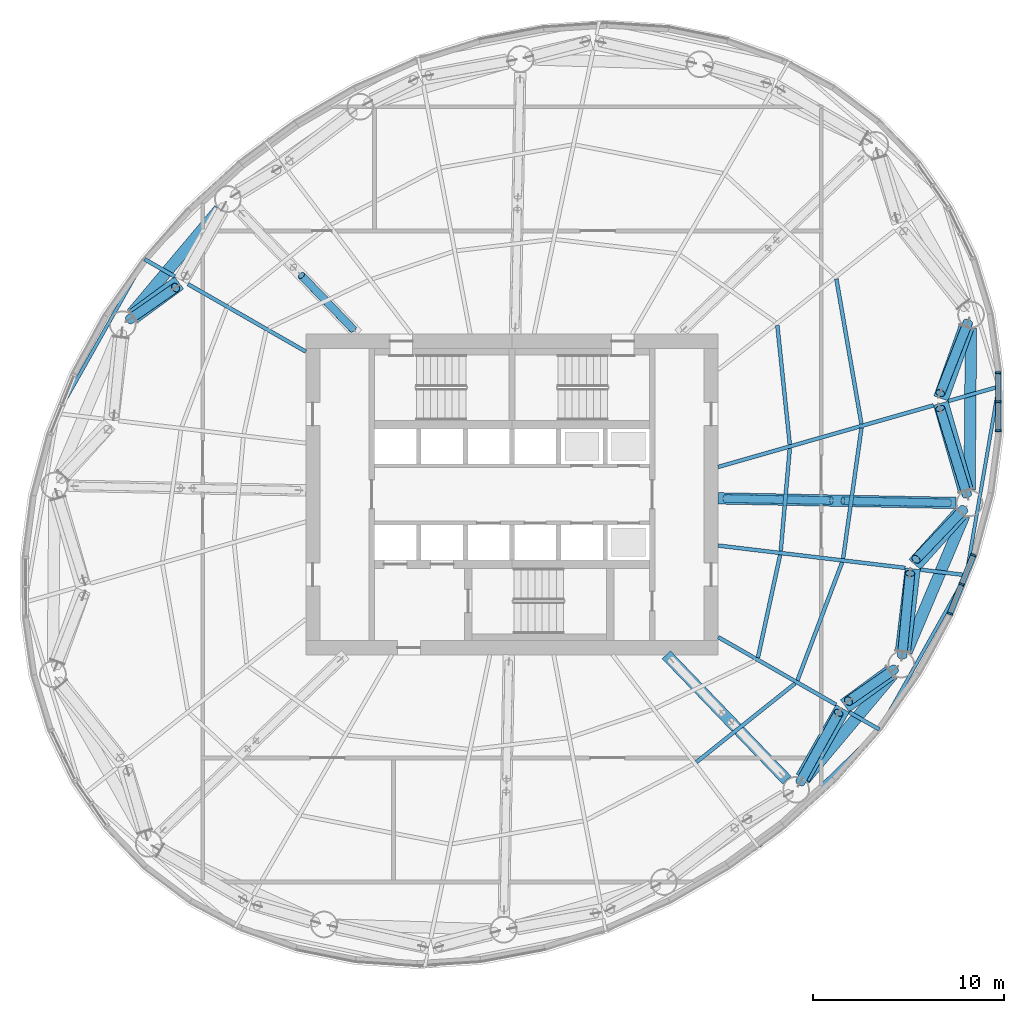
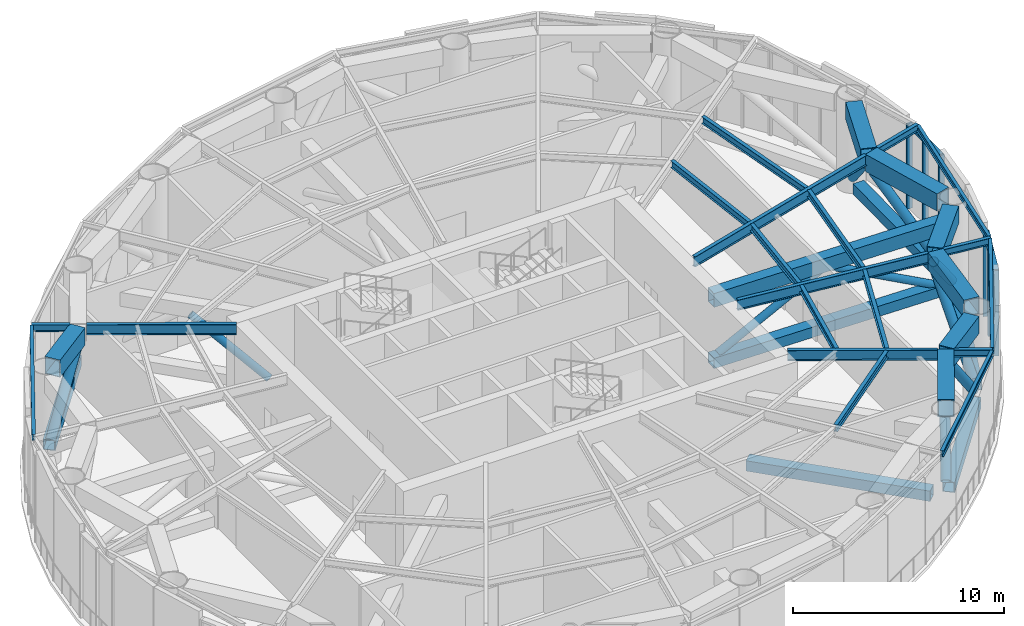
# One storey, part 4 of 19: 34 members, 19 beams, 2 elements without a shape of their own.
"""IFC4 building model written with IfcOpenShell, lengths in metres."""

from ifc_helpers import new_model, si_unit, direction, frame, origin, origin_2d, place, context, subcontext, project, spatial, rectangle, hollow_rectangle, hollow_circle, i_section, extrude, material, material_profile, profile_set, type_object, element, aggregate, save


model = new_model("IFC4")

# Units and contexts
model_context = context("Model", 3, precision=1e-05, world=origin(), true_north=direction((0.0, 1.0)))
body_context = subcontext(model_context, "Body", "Model", "MODEL_VIEW")
ifc_project = project(units=[si_unit("LENGTHUNIT", "METRE"), si_unit("AREAUNIT", "SQUARE_METRE"), si_unit("VOLUMEUNIT", "CUBIC_METRE"), si_unit("PLANEANGLEUNIT", "RADIAN"), si_unit("MASSUNIT", "GRAM", prefix="KILO")], contexts=[model_context])

# Site, building, storey
site_placement = place(None, origin())
site = spatial("IfcSite", under=ifc_project, at=site_placement, CompositionType="ELEMENT")
building_placement = place(site_placement, origin())
building = spatial("IfcBuilding", under=site, at=building_placement, Name="Vermilion Reach Broadcast Tower", CompositionType="ELEMENT")
storey_placement = place(building_placement, frame((0.0, 0.0, 190.199951171875)))
storey = spatial("IfcBuildingStorey", under=building, at=storey_placement, Name="L46", CompositionType="ELEMENT", Elevation=190.199951171875)

# Members
ifc_material_1 = material(Name="Steel S460NL", Category="steel")
ifc_material_profile_1 = material_profile(ifc_material_1, hollow_rectangle(XDim=0.60009765625, YDim=0.60009765625, WallThickness=0.030029296875, at=origin_2d()), Name="S460NL BOX 600x600x30")
ifc_profile_set_1 = profile_set([ifc_material_profile_1], Name="Steel S460NL")
member_type_1 = type_object("IfcMemberType", Name="BT3-BC BOX 600x600x30", PredefinedType="CHORD", material=ifc_profile_set_1)
for number, where, z_axis, x_axis, name in (
    (1, (-21.32958984375, 14.931396484375, 0.300048828125), (-0.643350337931, -0.765571905626, 0.0), (0.765571905626, -0.643350337931, 0.0), "Belt truss bottom chord BT3-BC05"),
    (2, (9.32958984375, -14.931396484375, 0.300048828125), (0.643350337931, 0.765571905626, 0.0), (-0.765571905626, 0.643350337931, 0.0), "Belt truss bottom chord BT3-BC13"),
):
    element("IfcMember", number, at=place(storey_placement, frame(where, z_axis=z_axis, x_axis=x_axis)), inside=storey, type_object=member_type_1, Name=name, PredefinedType="CHORD", context=body_context, shape_type="SweptSolid", body=[
        extrude(hollow_rectangle(XDim=0.60009765625, YDim=0.60009765625, WallThickness=0.030029296875, at=origin_2d()), origin(), (0.0, 0.0, 1.0), 7.1630859375),
    ])
member_1_placement = place(storey_placement, frame((14.660888671875, -8.266845703125, 0.300048828125), z_axis=(0.389368386196, 0.921082113512, 0.0), x_axis=(-0.921082113512, 0.389368386196, 0.0)))
element("IfcMember", 3, at=member_1_placement, inside=storey, type_object=member_type_1, Name="Belt truss bottom chord BT3-BC14", PredefinedType="CHORD", context=body_context, shape_type="SweptSolid", body=[
    extrude(hollow_rectangle(XDim=0.60009765625, YDim=0.60009765625, WallThickness=0.030029296875, at=origin_2d()), origin(), (0.0, 0.0, 1.0), 7.771240234375),
])
member_2_placement = place(storey_placement, frame((17.965087890625, 0.23583984375, 0.300048828125), z_axis=(0.008204232036, 0.999966344722, 0.0), x_axis=(-0.999966344722, 0.008204232036, 0.0)))
element("IfcMember", 4, at=member_2_placement, inside=storey, type_object=member_type_1, Name="Belt truss bottom chord BT3-BC15", PredefinedType="CHORD", context=body_context, shape_type="SweptSolid", body=[
    extrude(hollow_rectangle(XDim=0.60009765625, YDim=0.60009765625, WallThickness=0.030029296875, at=origin_2d()), origin(), (0.0, 0.0, 1.0), 8.48095703125),
])
ifc_material_2 = material(Name="Steel S355J2H", Category="steel")
ifc_material_profile_2 = material_profile(ifc_material_2, hollow_circle(Radius=0.25390625, WallThickness=0.02001953125, at=origin_2d()), Name="S355J2H CHS 508x20")
ifc_profile_set_2 = profile_set([ifc_material_profile_2], Name="Steel S355J2H")
member_type_2 = type_object("IfcMemberType", Name="BT3-D CHS 508x20", PredefinedType="BRACE", material=ifc_profile_set_2)
member_3_placement = place(storey_placement, frame((-26.018310546875, 9.167724609375, 0.800048828125), z_axis=(0.522849435044, 0.361890798011, 0.771792406408), x_axis=(-0.569122920508, 0.822252455972, 0.0)))
element("IfcMember", 5, at=member_3_placement, inside=storey, type_object=member_type_2, Name="Belt truss diagonal BT3-D05B", PredefinedType="BRACE", context=body_context, shape_type="SweptSolid", body=[
    extrude(hollow_circle(Radius=0.25390625, WallThickness=0.02001953125, at=origin_2d()), origin(), (0.0, 0.0, 1.0), 4.586669921875),
])
member_4_placement = place(storey_placement, frame((9.096923828125, -15.073486328125, 0.800048828125), z_axis=(0.36814083043, 0.66593798936, 0.648844298193), x_axis=(-0.875173391155, 0.483809399881, 0.0)))
element("IfcMember", 6, at=member_4_placement, inside=storey, type_object=member_type_2, Name="Belt truss diagonal BT3-D13A", PredefinedType="BRACE", context=body_context, shape_type="SweptSolid", body=[
    extrude(hollow_circle(Radius=0.25390625, WallThickness=0.02001953125, at=origin_2d()), origin(), (0.0, 0.0, 1.0), 5.455810546875),
])
member_5_placement = place(storey_placement, frame((14.018310546875, -9.167724609375, 0.800048828125), z_axis=(-0.522849435044, -0.361890798011, 0.771792406408), x_axis=(0.569122920508, -0.822252455972, 0.0)))
element("IfcMember", 7, at=member_5_placement, inside=storey, type_object=member_type_2, Name="Belt truss diagonal BT3-D13B", PredefinedType="BRACE", context=body_context, shape_type="SweptSolid", body=[
    extrude(hollow_circle(Radius=0.25390625, WallThickness=0.02001953125, at=origin_2d()), origin(), (0.0, 0.0, 1.0), 4.586669921875),
])
member_6_placement = place(storey_placement, frame((14.431396484375, -8.463623046875, 0.800048828125), z_axis=(0.074115123368, 0.771894639727, 0.631415563356), x_axis=(-0.995421983805, 0.095577581882, 0.0)))
element("IfcMember", 8, at=member_6_placement, inside=storey, type_object=member_type_2, Name="Belt truss diagonal BT3-D14A", PredefinedType="BRACE", context=body_context, shape_type="SweptSolid", body=[
    extrude(hollow_circle(Radius=0.25390625, WallThickness=0.02001953125, at=origin_2d()), origin(), (0.0, 0.0, 1.0), 5.6064453125),
])
member_7_placement = place(storey_placement, frame((17.648681640625, -0.789794921875, 0.800048828125), z_axis=(-0.492734451892, -0.516308413904, 0.700455838473), x_axis=(0.723429299599, -0.6903984708, 0.0)))
element("IfcMember", 9, at=member_7_placement, inside=storey, type_object=member_type_2, Name="Belt truss diagonal BT3-D14B", PredefinedType="BRACE", context=body_context, shape_type="SweptSolid", body=[
    extrude(hollow_circle(Radius=0.25390625, WallThickness=0.02001953125, at=origin_2d()), origin(), (0.0, 0.0, 1.0), 5.053955078125),
])
member_8_placement = place(storey_placement, frame((17.826171875, -0.034423828125, 0.800048828125), z_axis=(-0.237338124652, 0.765804970114, 0.597673290632), x_axis=(-0.955178988693, -0.296028882981, 0.0)))
element("IfcMember", 10, at=member_8_placement, inside=storey, type_object=member_type_2, Name="Belt truss diagonal BT3-D15A", PredefinedType="BRACE", context=body_context, shape_type="SweptSolid", body=[
    extrude(hollow_circle(Radius=0.25390625, WallThickness=0.02001953125, at=origin_2d()), origin(), (0.0, 0.0, 1.0), 5.923095703125),
])
member_9_placement = place(storey_placement, frame((17.876220703125, 8.99755859375, 0.800048828125), z_axis=(-0.272455464014, -0.694862410665, 0.665533057311), x_axis=(0.930991230231, -0.365041544531, 0.0)))
element("IfcMember", 11, at=member_9_placement, inside=storey, type_object=member_type_2, Name="Belt truss diagonal BT3-D15B", PredefinedType="BRACE", context=body_context, shape_type="SweptSolid", body=[
    extrude(hollow_circle(Radius=0.25390625, WallThickness=0.02001953125, at=origin_2d()), origin(), (0.0, 0.0, 1.0), 5.319091796875),
])
ifc_material_3 = material(Name="Steel S460NL", Category="steel")
ifc_material_profile_3 = material_profile(ifc_material_3, hollow_rectangle(XDim=0.800048828125, YDim=1.0, WallThickness=0.0400390625, at=origin_2d()), Name="S460NL BOX 800x1000x40")
ifc_profile_set_3 = profile_set([ifc_material_profile_3], Name="Steel S460NL")
member_type_3 = type_object("IfcMemberType", Name="BT3-TC BOX 800x1000x40", PredefinedType="CHORD", material=ifc_profile_set_3)
member_10_placement = place(storey_placement, frame((-23.43505859375, 11.080810546875, 4.85009765625), z_axis=(-0.805979171734, -0.591943894918, 0.0), x_axis=(0.591943894918, -0.805979171734, 0.0)))
element("IfcMember", 12, at=member_10_placement, inside=storey, type_object=member_type_3, Name="Belt truss top chord BT3-TC10", PredefinedType="CHORD", context=body_context, shape_type="SweptSolid", body=[
    extrude(hollow_rectangle(XDim=0.800048828125, YDim=1.0, WallThickness=0.0400390625, at=origin_2d()), origin(), (0.0, 0.0, 1.0), 2.954345703125),
])
member_11_placement = place(storey_placement, frame((9.232177734375, -14.851318359375, 4.85009765625), z_axis=(0.49728541573, 0.867587007338, 0.0), x_axis=(-0.867587007338, 0.49728541573, 0.0)))
element("IfcMember", 13, at=member_11_placement, inside=storey, type_object=member_type_3, Name="Belt truss top chord BT3-TC25", PredefinedType="CHORD", context=body_context, shape_type="SweptSolid", body=[
    extrude(hollow_rectangle(XDim=0.800048828125, YDim=1.0, WallThickness=0.0400390625, at=origin_2d()), origin(), (0.0, 0.0, 1.0), 4.195068359375),
])
member_12_placement = place(storey_placement, frame((11.43505859375, -11.080810546875, 4.85009765625), z_axis=(0.805979171734, 0.591943894918, 0.0), x_axis=(-0.591943894918, 0.805979171734, 0.0)))
element("IfcMember", 14, at=member_12_placement, inside=storey, type_object=member_type_3, Name="Belt truss top chord BT3-TC26", PredefinedType="CHORD", context=body_context, shape_type="SweptSolid", body=[
    extrude(hollow_rectangle(XDim=0.800048828125, YDim=1.0, WallThickness=0.0400390625, at=origin_2d()), origin(), (0.0, 0.0, 1.0), 2.954345703125),
])
member_13_placement = place(storey_placement, frame((14.472412109375, -8.20654296875, 4.85009765625), z_axis=(0.11860386454, 0.992941651516, 0.0), x_axis=(-0.992941651516, 0.11860386454, 0.0)))
element("IfcMember", 15, at=member_13_placement, inside=storey, type_object=member_type_3, Name="Belt truss top chord BT3-TC27", PredefinedType="CHORD", context=body_context, shape_type="SweptSolid", body=[
    extrude(hollow_rectangle(XDim=0.800048828125, YDim=1.0, WallThickness=0.0400390625, at=origin_2d()), origin(), (0.0, 0.0, 1.0), 4.339111328125),
])
member_14_placement = place(storey_placement, frame((15.090087890625, -3.669921875, 4.85009765625), z_axis=(0.666912059701, 0.745136433564, 0.0), x_axis=(-0.745136433564, 0.666912059701, 0.0)))
element("IfcMember", 16, at=member_14_placement, inside=storey, type_object=member_type_3, Name="Belt truss top chord BT3-TC28", PredefinedType="CHORD", context=body_context, shape_type="SweptSolid", body=[
    extrude(hollow_rectangle(XDim=0.800048828125, YDim=1.0, WallThickness=0.0400390625, at=origin_2d()), origin(), (0.0, 0.0, 1.0), 3.59228515625),
])
member_15_placement = place(storey_placement, frame((17.76416015625, 0.21826171875, 4.85009765625), z_axis=(-0.275183916878, 0.961391601738, 0.0), x_axis=(-0.961391601738, -0.275183916878, 0.0)))
element("IfcMember", 17, at=member_15_placement, inside=storey, type_object=member_type_3, Name="Belt truss top chord BT3-TC29", PredefinedType="CHORD", context=body_context, shape_type="SweptSolid", body=[
    extrude(hollow_rectangle(XDim=0.800048828125, YDim=1.0, WallThickness=0.0400390625, at=origin_2d()), origin(), (0.0, 0.0, 1.0), 4.737548828125),
])
member_16_placement = place(storey_placement, frame((16.46875, 5.02734375, 4.85009765625), z_axis=(0.337111137544, 0.941464859112, 0.0), x_axis=(-0.941464859112, 0.337111137544, 0.0)))
element("IfcMember", 18, at=member_16_placement, inside=storey, type_object=member_type_3, Name="Belt truss top chord BT3-TC30", PredefinedType="CHORD", context=body_context, shape_type="SweptSolid", body=[
    extrude(hollow_rectangle(XDim=0.800048828125, YDim=1.0, WallThickness=0.0400390625, at=origin_2d()), origin(), (0.0, 0.0, 1.0), 3.9521484375),
])

# Curtain wall, members
ifc_material_4 = material(Name="Low-e laminated clear glass in aluminium frame", Category="aluminium")
curtain_wall_type = type_object("IfcCurtainWallType", Name="Belt glazing curtain wall", PredefinedType="NOTDEFINED", material=ifc_material_4)
placement = place(storey_placement, origin())
curtain_wall_1 = element("IfcCurtainWall", 19, at=placement, inside=storey, type_object=curtain_wall_type, Name="Sky lobby glazing L46 01", PredefinedType="NOTDEFINED")
ifc_material_5 = material(Name="Anodised aluminium", Category="aluminium")
ifc_material_profile_4 = material_profile(ifc_material_5, rectangle(XDim=0.300048828125, YDim=0.10009765625, at=origin_2d()), Name="Belt glazing mullion 100 x 300")
ifc_profile_set_4 = profile_set([ifc_material_profile_4], Name="Anodised aluminium")
member_type_4 = type_object("IfcMemberType", Name="Belt glazing mullion 100 x 300", PredefinedType="MULLION", material=ifc_profile_set_4)
member_17_placement = place(storey_placement, frame((16.93310546875, -6.243408203125, 0.0), z_axis=(0.0, 0.0, 1.0), x_axis=(-0.927587781279, 0.373605283717, 0.0)))
member_17 = element("IfcMember", 20, at=member_17_placement, type_object=member_type_4, Name="Sky lobby glazing mullion L46 01.1", PredefinedType="MULLION", context=body_context, shape_type="SweptSolid", body=[
    extrude(rectangle(XDim=0.300048828125, YDim=0.10009765625, at=origin_2d()), origin(), (0.0, 0.0, 1.0), 4.949951171875),
])
member_18_placement = place(storey_placement, frame((17.549560546875, -4.712646484375, 0.0), z_axis=(0.0, 0.0, 1.0), x_axis=(-0.927587781279, 0.373605283717, 0.0)))
member_18 = element("IfcMember", 21, at=member_18_placement, type_object=member_type_4, Name="Sky lobby glazing mullion L46 01.2", PredefinedType="MULLION", context=body_context, shape_type="SweptSolid", body=[
    extrude(rectangle(XDim=0.300048828125, YDim=0.10009765625, at=origin_2d()), origin(), (0.0, 0.0, 1.0), 4.949951171875),
])
member_19_placement = place(storey_placement, frame((18.166259765625, -3.181884765625, 0.0), z_axis=(0.0, 0.0, 1.0), x_axis=(-0.927587781279, 0.373605283717, 0.0)))
member_19 = element("IfcMember", 22, at=member_19_placement, type_object=member_type_4, Name="Sky lobby glazing mullion L46 01.3", PredefinedType="MULLION", context=body_context, shape_type="SweptSolid", body=[
    extrude(rectangle(XDim=0.300048828125, YDim=0.10009765625, at=origin_2d()), origin(), (0.0, 0.0, 1.0), 4.949951171875),
])

curtain_wall_2 = element("IfcCurtainWall", 23, at=placement, inside=storey, type_object=curtain_wall_type, Name="Sky lobby glazing L46 01", PredefinedType="NOTDEFINED")
member_20_placement = place(storey_placement, frame((19.466552734375, 3.32421875, 0.0), z_axis=(0.0, 0.0, 1.0), x_axis=(-0.999995834757, -0.002886255127, 0.0)))
member_20 = element("IfcMember", 24, at=member_20_placement, type_object=member_type_4, Name="Sky lobby glazing mullion L46 01.1", PredefinedType="MULLION", context=body_context, shape_type="SweptSolid", body=[
    extrude(rectangle(XDim=0.300048828125, YDim=0.10009765625, at=origin_2d()), origin(), (0.0, 0.0, 1.0), 4.949951171875),
])
member_21_placement = place(storey_placement, frame((19.462158203125, 4.846923828125, 0.0), z_axis=(0.0, 0.0, 1.0), x_axis=(-0.999995834757, -0.002886255127, 0.0)))
member_21 = element("IfcMember", 25, at=member_21_placement, type_object=member_type_4, Name="Sky lobby glazing mullion L46 01.2", PredefinedType="MULLION", context=body_context, shape_type="SweptSolid", body=[
    extrude(rectangle(XDim=0.300048828125, YDim=0.10009765625, at=origin_2d()), origin(), (0.0, 0.0, 1.0), 4.949951171875),
])
member_22_placement = place(storey_placement, frame((19.457763671875, 6.369384765625, 0.0), z_axis=(0.0, 0.0, 1.0), x_axis=(-0.999995834757, -0.002886255127, 0.0)))
member_22 = element("IfcMember", 26, at=member_22_placement, type_object=member_type_4, Name="Sky lobby glazing mullion L46 01.3", PredefinedType="MULLION", context=body_context, shape_type="SweptSolid", body=[
    extrude(rectangle(XDim=0.300048828125, YDim=0.10009765625, at=origin_2d()), origin(), (0.0, 0.0, 1.0), 4.949951171875),
])

# Member
ifc_material_6 = material(Name="Anodised aluminium", Category="aluminium")
ifc_material_profile_5 = material_profile(ifc_material_6, rectangle(XDim=0.300048828125, YDim=0.1201171875, at=origin_2d()), Name="Belt glazing transom 300 x 120")
ifc_profile_set_5 = profile_set([ifc_material_profile_5], Name="Anodised aluminium")
member_type_5 = type_object("IfcMemberType", Name="Belt glazing transom 300 x 120", PredefinedType="USERDEFINED", material=ifc_profile_set_5)
member_23_placement = place(storey_placement, frame((16.951904296875, -6.197021484375, 4.89013671875), z_axis=(0.373561910372, 0.927605249618, 0.0), x_axis=(-0.927605249618, 0.373561910372, 0.0)))
member_23 = element("IfcMember", 27, at=member_23_placement, type_object=member_type_5, Name="Sky lobby glazing transom L46 01.1.2", ObjectType="TRANSOM", PredefinedType="USERDEFINED", context=body_context, shape_type="SweptSolid", body=[
    extrude(rectangle(XDim=0.300048828125, YDim=0.1201171875, at=origin_2d()), origin(), (0.0, 0.0, 1.0), 1.55029296875),
])

member_24_placement = place(storey_placement, frame((17.568359375, -4.666259765625, 4.89013671875), z_axis=(0.373561910372, 0.927605249618, 0.0), x_axis=(-0.927605249618, 0.373561910372, 0.0)))
member_24 = element("IfcMember", 28, at=member_24_placement, type_object=member_type_5, Name="Sky lobby glazing transom L46 01.2.2", ObjectType="TRANSOM", PredefinedType="USERDEFINED", context=body_context, shape_type="SweptSolid", body=[
    extrude(rectangle(XDim=0.300048828125, YDim=0.1201171875, at=origin_2d()), origin(), (0.0, 0.0, 1.0), 1.55029296875),
])

aggregate(curtain_wall_1, [member_17, member_18, member_19, member_23, member_24])

member_25_placement = place(storey_placement, frame((19.466552734375, 3.374267578125, 4.89013671875), z_axis=(-0.002917440819, 0.99999574426, 0.0), x_axis=(-0.99999574426, -0.002917440819, 0.0)))
member_25 = element("IfcMember", 29, at=member_25_placement, type_object=member_type_5, Name="Sky lobby glazing transom L46 01.1.2", ObjectType="TRANSOM", PredefinedType="USERDEFINED", context=body_context, shape_type="SweptSolid", body=[
    extrude(rectangle(XDim=0.300048828125, YDim=0.1201171875, at=origin_2d()), origin(), (0.0, 0.0, 1.0), 1.422607421875),
])

member_26_placement = place(storey_placement, frame((19.462158203125, 4.89697265625, 4.89013671875), z_axis=(-0.002917440819, 0.99999574426, 0.0), x_axis=(-0.99999574426, -0.002917440819, 0.0)))
member_26 = element("IfcMember", 30, at=member_26_placement, type_object=member_type_5, Name="Sky lobby glazing transom L46 01.2.2", ObjectType="TRANSOM", PredefinedType="USERDEFINED", context=body_context, shape_type="SweptSolid", body=[
    extrude(rectangle(XDim=0.300048828125, YDim=0.1201171875, at=origin_2d()), origin(), (0.0, 0.0, 1.0), 1.422607421875),
])

aggregate(curtain_wall_2, [member_20, member_21, member_22, member_25, member_26])

# Beams
ifc_material_7 = material(Name="Steel S355J2", Category="steel")
ifc_material_profile_6 = material_profile(ifc_material_7, i_section(OverallWidth=0.175048828125, OverallDepth=0.35009765625, WebThickness=0.007080078125, FlangeThickness=0.010986328125, at=origin_2d()), Name="S355J2 HN 350x175x7x11")
ifc_profile_set_6 = profile_set([ifc_material_profile_6], Name="Steel S355J2")
beam_type_1 = type_object("IfcBeamType", Name="EB4 HN 350x175x7x11", PredefinedType="BEAM", material=ifc_profile_set_6)
beam_1_placement = place(storey_placement, frame((-25.28955078125, 12.226318359375, 5.175048828125), z_axis=(-0.490697177611, -0.871330178454, 0.0), x_axis=(0.871330178454, -0.490697177611, 0.0)))
element("IfcBeam", 31, at=beam_1_placement, inside=storey, type_object=beam_type_1, Name="Edge beam EB4-05", PredefinedType="BEAM", context=body_context, shape_type="SweptSolid", body=[
    extrude(i_section(OverallWidth=0.175048828125, OverallDepth=0.35009765625, WebThickness=0.007080078125, FlangeThickness=0.010986328125, at=origin_2d()), origin(), (0.0, 0.0, 1.0), 9.065673828125),
])
beam_2_placement = place(storey_placement, frame((6.948974609375, -18.41455078125, 5.175048828125), z_axis=(0.717877337912, 0.69616961131, 0.0), x_axis=(-0.69616961131, 0.717877337912, 0.0)))
element("IfcBeam", 32, at=beam_2_placement, inside=storey, type_object=beam_type_1, Name="Edge beam EB4-12", PredefinedType="BEAM", context=body_context, shape_type="SweptSolid", body=[
    extrude(i_section(OverallWidth=0.175048828125, OverallDepth=0.35009765625, WebThickness=0.007080078125, FlangeThickness=0.010986328125, at=origin_2d()), origin(), (0.0, 0.0, 1.0), 8.659912109375),
])
beam_3_placement = place(storey_placement, frame((13.28955078125, -12.226318359375, 5.175048828125), z_axis=(0.490697177611, 0.871330178454, 0.0), x_axis=(-0.871330178454, 0.490697177611, 0.0)))
element("IfcBeam", 33, at=beam_3_placement, inside=storey, type_object=beam_type_1, Name="Edge beam EB4-13", PredefinedType="BEAM", context=body_context, shape_type="SweptSolid", body=[
    extrude(i_section(OverallWidth=0.175048828125, OverallDepth=0.35009765625, WebThickness=0.007080078125, FlangeThickness=0.010986328125, at=origin_2d()), origin(), (0.0, 0.0, 1.0), 9.065673828125),
])
beam_4_placement = place(storey_placement, frame((17.80810546875, -4.134033203125, 5.175048828125), z_axis=(0.169471696783, 0.985535054673, 0.0), x_axis=(-0.985535054673, 0.169471696783, 0.0)))
element("IfcBeam", 34, at=beam_4_placement, inside=storey, type_object=beam_type_1, Name="Edge beam EB4-14", PredefinedType="BEAM", context=body_context, shape_type="SweptSolid", body=[
    extrude(i_section(OverallWidth=0.175048828125, OverallDepth=0.35009765625, WebThickness=0.007080078125, FlangeThickness=0.010986328125, at=origin_2d()), origin(), (0.0, 0.0, 1.0), 9.80615234375),
])
ifc_material_8 = material(Name="Steel S355J2", Category="steel")
ifc_material_profile_7 = material_profile(ifc_material_8, i_section(OverallWidth=0.199951171875, OverallDepth=0.60009765625, WebThickness=0.010986328125, FlangeThickness=0.01708984375, at=origin_2d()), Name="S355J2 HN 600x200x11x17")
ifc_profile_set_7 = profile_set([ifc_material_profile_7], Name="Steel S355J2")
beam_type_2 = type_object("IfcBeamType", Name="G4 HN 600x200x11x17", PredefinedType="BEAM", material=ifc_profile_set_7)
for number, where, z_axis, x_axis, name in (
    (35, (-16.800048828125, 7.4755859375, 5.050048828125), (-0.867591835827, 0.497276991631, 0.0), (-0.497276991631, -0.867591835827, 0.0), "Girder G4-05"),
    (36, (4.800048828125, -7.4755859375, 5.050048828125), (0.867591835827, -0.497276991631, 0.0), (0.497276991631, 0.867591835827, 0.0), "Girder G4-13"),
):
    element("IfcBeam", number, at=place(storey_placement, frame(where, z_axis=z_axis, x_axis=x_axis)), inside=storey, type_object=beam_type_2, Name=name, PredefinedType="BEAM", context=body_context, shape_type="SweptSolid", body=[
        extrude(i_section(OverallWidth=0.199951171875, OverallDepth=0.60009765625, WebThickness=0.010986328125, FlangeThickness=0.01708984375, at=origin_2d()), origin(), (0.0, 0.0, 1.0), 7.113037109375),
    ])
beam_5_placement = place(storey_placement, frame((4.800048828125, -2.68115234375, 5.050048828125), z_axis=(0.992943703663, -0.118586682881, 0.0), x_axis=(0.118586682881, 0.992943703663, 0.0)))
element("IfcBeam", 37, at=beam_5_placement, inside=storey, type_object=beam_type_2, Name="Girder G4-14", PredefinedType="BEAM", context=body_context, shape_type="SweptSolid", body=[
    extrude(i_section(OverallWidth=0.199951171875, OverallDepth=0.60009765625, WebThickness=0.010986328125, FlangeThickness=0.01708984375, at=origin_2d()), origin(), (0.0, 0.0, 1.0), 9.859375),
])
beam_6_placement = place(storey_placement, frame((4.800048828125, 1.435546875, 5.050048828125), z_axis=(0.961397380109, 0.275163728568, 0.0), x_axis=(-0.275163728568, 0.961397380109, 0.0)))
element("IfcBeam", 38, at=beam_6_placement, inside=storey, type_object=beam_type_2, Name="Girder G4-15", PredefinedType="BEAM", context=body_context, shape_type="SweptSolid", body=[
    extrude(i_section(OverallWidth=0.199951171875, OverallDepth=0.60009765625, WebThickness=0.010986328125, FlangeThickness=0.01708984375, at=origin_2d()), origin(), (0.0, 0.0, 1.0), 11.728515625),
])
ifc_material_9 = material(Name="Steel S355J2", Category="steel")
ifc_material_profile_8 = material_profile(ifc_material_9, i_section(OverallWidth=0.199951171875, OverallDepth=0.39990234375, WebThickness=0.008056640625, FlangeThickness=0.012939453125, at=origin_2d()), Name="S355J2 HN 400x200x8x13")
ifc_profile_set_8 = profile_set([ifc_material_profile_8], Name="Steel S355J2")
beam_type_3 = type_object("IfcBeamType", Name="GC4 HN 400x200x8x13", PredefinedType="BEAM", material=ifc_profile_set_8)
for number, where, z_axis, x_axis, name in (
    (39, (-23.665283203125, 11.41064453125, 5.150146484375), (-0.867596953976, 0.497268061966, 0.0), (-0.497268061966, -0.867596953976, 0.0), "Cantilever girder GC4-05"),
    (40, (11.665283203125, -11.41064453125, 5.150146484375), (0.867596953976, -0.497268061966, 0.0), (0.497268061966, 0.867596953976, 0.0), "Cantilever girder GC4-13"),
):
    element("IfcBeam", number, at=place(storey_placement, frame(where, z_axis=z_axis, x_axis=x_axis)), inside=storey, type_object=beam_type_3, Name=name, PredefinedType="BEAM", context=body_context, shape_type="SweptSolid", body=[
        extrude(i_section(OverallWidth=0.199951171875, OverallDepth=0.39990234375, WebThickness=0.008056640625, FlangeThickness=0.012939453125, at=origin_2d()), origin(), (0.0, 0.0, 1.0), 1.815673828125),
    ])
beam_7_placement = place(storey_placement, frame((15.38427734375, -3.9453125, 5.150146484375), z_axis=(0.992947678053, -0.118553399987, 0.0), x_axis=(0.118553399987, 0.992947678053, 0.0)))
element("IfcBeam", 41, at=beam_7_placement, inside=storey, type_object=beam_type_3, Name="Cantilever girder GC4-14", PredefinedType="BEAM", context=body_context, shape_type="SweptSolid", body=[
    extrude(i_section(OverallWidth=0.199951171875, OverallDepth=0.39990234375, WebThickness=0.008056640625, FlangeThickness=0.012939453125, at=origin_2d()), origin(), (0.0, 0.0, 1.0), 2.423828125),
])
beam_8_placement = place(storey_placement, frame((16.844970703125, 4.883056640625, 5.150146484375), z_axis=(0.961406602479, 0.275131504394, 0.0), x_axis=(-0.275131504394, 0.961406602479, 0.0)))
element("IfcBeam", 42, at=beam_8_placement, inside=storey, type_object=beam_type_3, Name="Cantilever girder GC4-15", PredefinedType="BEAM", context=body_context, shape_type="SweptSolid", body=[
    extrude(i_section(OverallWidth=0.199951171875, OverallDepth=0.39990234375, WebThickness=0.008056640625, FlangeThickness=0.012939453125, at=origin_2d()), origin(), (0.0, 0.0, 1.0), 2.75),
])

# Members
ifc_material_10 = material(Name="Steel S460NL", Category="steel")
ifc_material_profile_9 = material_profile(ifc_material_10, hollow_rectangle(XDim=0.60009765625, YDim=0.60009765625, WallThickness=0.030029296875, at=origin_2d()), Name="S460NL BOX 600x600x30")
ifc_profile_set_9 = profile_set([ifc_material_profile_9], Name="Steel S460NL")
member_type_6 = type_object("IfcMemberType", Name="OR3-BC BOX 600x600x30", PredefinedType="CHORD", material=ifc_profile_set_9)
member_27_placement = place(storey_placement, frame((2.08056640625, -8.39990234375, 0.300048828125), z_axis=(0.693288178928, -0.720660461631, 0.0), x_axis=(0.720660461631, 0.693288178928, 0.0)))
element("IfcMember", 43, at=member_27_placement, inside=storey, type_object=member_type_6, Name="Outrigger bottom chord OR3-13", PredefinedType="CHORD", context=body_context, shape_type="SweptSolid", body=[
    extrude(hollow_rectangle(XDim=0.60009765625, YDim=0.60009765625, WallThickness=0.030029296875, at=origin_2d()), origin(), (0.0, 0.0, 1.0), 9.106689453125),
])
member_28_placement = place(storey_placement, frame((4.800048828125, -0.209228515625, 0.300048828125), z_axis=(0.999812275453, -0.019375599413, 0.0), x_axis=(0.019375599413, 0.999812275453, 0.0)))
element("IfcMember", 44, at=member_28_placement, inside=storey, type_object=member_type_6, Name="Outrigger bottom chord OR3-15", PredefinedType="CHORD", context=body_context, shape_type="SweptSolid", body=[
    extrude(hollow_rectangle(XDim=0.60009765625, YDim=0.60009765625, WallThickness=0.030029296875, at=origin_2d()), origin(), (0.0, 0.0, 1.0), 12.4619140625),
])
ifc_material_11 = material(Name="Steel S355J2H", Category="steel")
ifc_material_profile_10 = material_profile(ifc_material_11, hollow_circle(Radius=0.203125, WallThickness=0.01611328125, at=origin_2d()), Name="S355J2H CHS 406x16")
ifc_profile_set_10 = profile_set([ifc_material_profile_10], Name="Steel S355J2H")
member_type_7 = type_object("IfcMemberType", Name="OR3-D CHS 406x16", PredefinedType="BRACE", material=ifc_profile_set_10)
member_29_placement = place(storey_placement, frame((-14.3232421875, 8.65234375, 0.60009765625), z_axis=(-0.553103600539, 0.574910373674, 0.602954782146), x_axis=(-0.72064192496, -0.693307446945, 0.0)))
element("IfcMember", 45, at=member_29_placement, inside=storey, type_object=member_type_7, Name="Outrigger diagonal OR3-05-DA", PredefinedType="BRACE", context=body_context, shape_type="SweptSolid", body=[
    extrude(hollow_circle(Radius=0.203125, WallThickness=0.01611328125, at=origin_2d()), origin(), (0.0, 0.0, 1.0), 4.892578125),
])
for number, where, z_axis, x_axis, name in (
    (46, (5.14990234375, -0.216064453125, 0.60009765625), (0.883925220078, -0.017133181907, 0.467314304712), (0.019379427047, 0.999812201269, 0.0), "Outrigger diagonal OR3-15-DA"),
    (47, (16.90966796875, -0.44384765625, 0.60009765625), (-0.883925220078, 0.017133181907, 0.467314304712), (-0.019379427047, -0.999812201269, 0.0), "Outrigger diagonal OR3-15-DB"),
):
    element("IfcMember", number, at=place(storey_placement, frame(where, z_axis=z_axis, x_axis=x_axis)), inside=storey, type_object=member_type_7, Name=name, PredefinedType="BRACE", context=body_context, shape_type="SweptSolid", body=[
        extrude(hollow_circle(Radius=0.203125, WallThickness=0.01611328125, at=origin_2d()), origin(), (0.0, 0.0, 1.0), 6.3125),
    ])
ifc_material_12 = material(Name="Steel S460NL", Category="steel")
ifc_material_profile_11 = material_profile(ifc_material_12, hollow_rectangle(XDim=0.60009765625, YDim=0.800048828125, WallThickness=0.030029296875, at=origin_2d()), Name="S460NL BOX 600x800x30")
ifc_profile_set_11 = profile_set([ifc_material_profile_11], Name="Steel S460NL")
member_type_8 = type_object("IfcMemberType", Name="OR3-TC BOX 600x800x30", PredefinedType="CHORD", material=ifc_profile_set_11)
member_30_placement = place(storey_placement, frame((4.800048828125, -0.209228515625, 3.949951171875), z_axis=(0.999812275453, -0.019375599413, 0.0), x_axis=(0.019375599413, 0.999812275453, 0.0)))
element("IfcMember", 48, at=member_30_placement, inside=storey, type_object=member_type_8, Name="Outrigger top chord OR3-15", PredefinedType="CHORD", context=body_context, shape_type="SweptSolid", body=[
    extrude(hollow_rectangle(XDim=0.60009765625, YDim=0.800048828125, WallThickness=0.030029296875, at=origin_2d()), origin(), (0.0, 0.0, 1.0), 12.4619140625),
])

# Beams
ifc_material_13 = material(Name="Steel S355J2", Category="steel")
ifc_material_profile_12 = material_profile(ifc_material_13, i_section(OverallWidth=0.199951171875, OverallDepth=0.39990234375, WebThickness=0.008056640625, FlangeThickness=0.012939453125, at=origin_2d()), Name="S355J2 HN 400x200x8x13")
ifc_profile_set_12 = profile_set([ifc_material_profile_12], Name="Steel S355J2")
beam_type_4 = type_object("IfcBeamType", Name="SB4 HN 400x200x8x13", PredefinedType="BEAM", material=ifc_profile_set_12)
beam_9_placement = place(storey_placement, frame((3.654052734375, -14.0263671875, 5.150146484375), z_axis=(0.781997470502, 0.623281602591, 0.0), x_axis=(-0.623281602591, 0.781997470502, 0.0)))
element("IfcBeam", 49, at=beam_9_placement, inside=storey, type_object=beam_type_4, Name="Secondary beam SB4-12-2", PredefinedType="BEAM", context=body_context, shape_type="SweptSolid", body=[
    extrude(i_section(OverallWidth=0.199951171875, OverallDepth=0.39990234375, WebThickness=0.008056640625, FlangeThickness=0.012939453125, at=origin_2d()), origin(), (0.0, 0.0, 1.0), 6.618896484375),
])
beam_10_placement = place(storey_placement, frame((6.879150390625, -8.552001953125, 5.150146484375), z_axis=(0.211157654028, 0.977452016799, 0.0), x_axis=(-0.977452016799, 0.211157654028, 0.0)))
element("IfcBeam", 50, at=beam_10_placement, inside=storey, type_object=beam_type_4, Name="Secondary beam SB4-13-1", PredefinedType="BEAM", context=body_context, shape_type="SweptSolid", body=[
    extrude(i_section(OverallWidth=0.199951171875, OverallDepth=0.39990234375, WebThickness=0.008056640625, FlangeThickness=0.012939453125, at=origin_2d()), origin(), (0.0, 0.0, 1.0), 5.507080078125),
])
beam_11_placement = place(storey_placement, frame((8.949951171875, -9.739013671875, 5.150146484375), z_axis=(0.354023951405, 0.935236356132, 0.0), x_axis=(-0.935236356132, 0.354023951405, 0.0)))
element("IfcBeam", 51, at=beam_11_placement, inside=storey, type_object=beam_type_4, Name="Secondary beam SB4-13-2", PredefinedType="BEAM", context=body_context, shape_type="SweptSolid", body=[
    extrude(i_section(OverallWidth=0.199951171875, OverallDepth=0.39990234375, WebThickness=0.008056640625, FlangeThickness=0.012939453125, at=origin_2d()), origin(), (0.0, 0.0, 1.0), 6.60986328125),
])
beam_12_placement = place(storey_placement, frame((8.072265625, -2.97119140625, 5.150146484375), z_axis=(0.088349284852, 0.996089556148, 0.0), x_axis=(-0.996089556148, 0.088349284852, 0.0)))
element("IfcBeam", 52, at=beam_12_placement, inside=storey, type_object=beam_type_4, Name="Secondary beam SB4-14-1", PredefinedType="BEAM", context=body_context, shape_type="SweptSolid", body=[
    extrude(i_section(OverallWidth=0.199951171875, OverallDepth=0.39990234375, WebThickness=0.008056640625, FlangeThickness=0.012939453125, at=origin_2d()), origin(), (0.0, 0.0, 1.0), 5.396728515625),
])
beam_13_placement = place(storey_placement, frame((11.340576171875, -3.361572265625, 5.150146484375), z_axis=(0.139184430863, 0.990266476362, 0.0), x_axis=(-0.990266476362, 0.139184430863, 0.0)))
element("IfcBeam", 53, at=beam_13_placement, inside=storey, type_object=beam_type_4, Name="Secondary beam SB4-14-2", PredefinedType="BEAM", context=body_context, shape_type="SweptSolid", body=[
    extrude(i_section(OverallWidth=0.199951171875, OverallDepth=0.39990234375, WebThickness=0.008056640625, FlangeThickness=0.012939453125, at=origin_2d()), origin(), (0.0, 0.0, 1.0), 6.907470703125),
])
beam_14_placement = place(storey_placement, frame((8.548095703125, 2.6123046875, 5.150146484375), z_axis=(-0.103930425833, 0.994584569851, 0.0), x_axis=(-0.994584569851, -0.103930425833, 0.0)))
element("IfcBeam", 54, at=beam_14_placement, inside=storey, type_object=beam_type_4, Name="Secondary beam SB4-15-1", PredefinedType="BEAM", context=body_context, shape_type="SweptSolid", body=[
    extrude(i_section(OverallWidth=0.199951171875, OverallDepth=0.39990234375, WebThickness=0.008056640625, FlangeThickness=0.012939453125, at=origin_2d()), origin(), (0.0, 0.0, 1.0), 6.267333984375),
])
beam_15_placement = place(storey_placement, frame((12.30029296875, 3.686279296875, 5.150146484375), z_axis=(-0.170214444294, 0.985407044299, 0.0), x_axis=(-0.985407044299, -0.170214444294, 0.0)))
element("IfcBeam", 55, at=beam_15_placement, inside=storey, type_object=beam_type_4, Name="Secondary beam SB4-15-2", PredefinedType="BEAM", context=body_context, shape_type="SweptSolid", body=[
    extrude(i_section(OverallWidth=0.199951171875, OverallDepth=0.39990234375, WebThickness=0.008056640625, FlangeThickness=0.012939453125, at=origin_2d()), origin(), (0.0, 0.0, 1.0), 7.70947265625),
])

save(model, "model.ifc")
